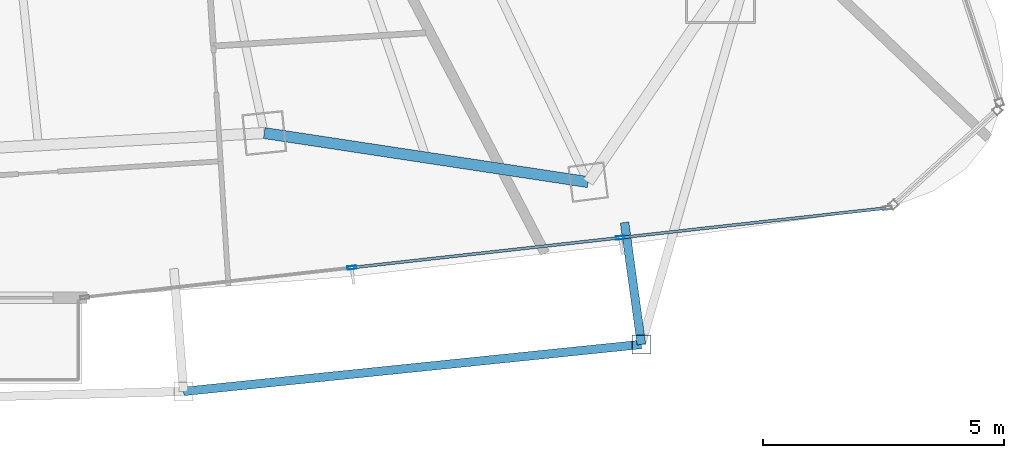
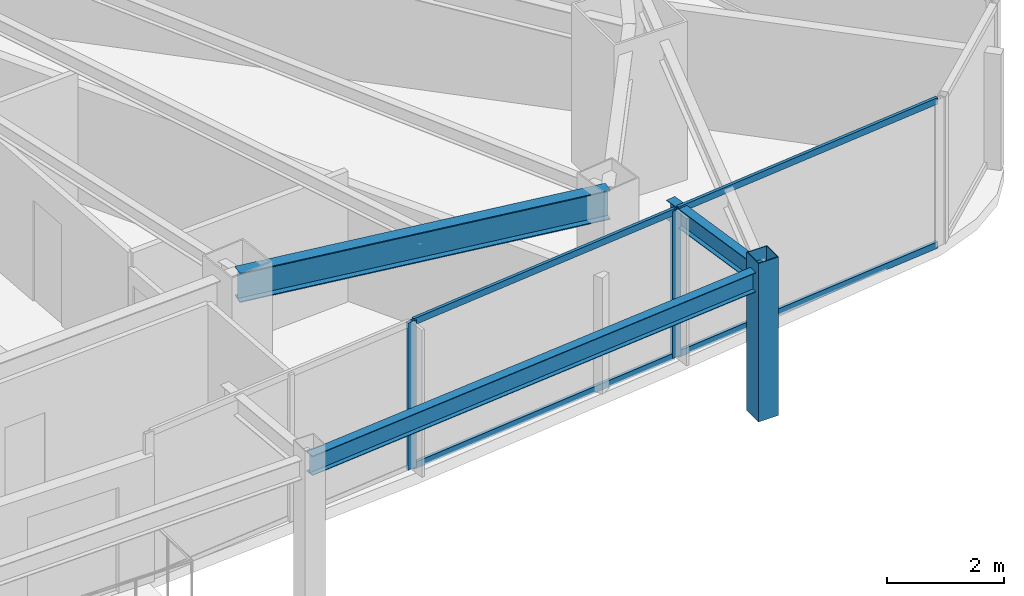
# One storey, part 12 of 29: 7 members, 3 beams, 1 element without a shape of its own.
"""IFC4 building model written with IfcOpenShell, lengths in metres."""

import ifcopenshell
import ifcopenshell.guid

model = None  # the IFC model being written
_history = None  # IfcOwnerHistory: only IFC2X3 demands one
_inside = {}  # id of a spatial element -> (the spatial element, [elements in it])
_under = {}  # id of a project, library or spatial element -> (it, [spatial elements below it])
_declared = {}  # id of a project -> (the project, [libraries it declares])
_typed = {}  # id of a type object -> (the type object, [elements of that type])
_made_of = {}  # id of a material, layer set ... -> (it, [elements and type objects made of it])


def new_model(schema):
    """Start an empty IFC model of exactly this schema.

    Asked for "IFC4X3", IfcOpenShell would pick the latest addendum, in which some entities
    have other attributes; the version numbers below select the first issue.
    IFC2X3 requires an IfcOwnerHistory on every rooted entity: one is made here for all.
    """
    global model, _history
    if schema == "IFC4X3":
        model = ifcopenshell.file(schema_version=(4, 3, 0, 0))
    else:
        model = ifcopenshell.file(schema=schema)
    _inside.clear()
    _under.clear()
    _declared.clear()
    _typed.clear()
    _made_of.clear()
    _history = None
    if model.schema == "IFC2X3":
        org = make("IfcOrganization", Name="unknown")
        user = make(
            "IfcPersonAndOrganization",
            ThePerson=make("IfcPerson", FamilyName="unknown"),
            TheOrganization=org,
        )
        app = make(
            "IfcApplication",
            ApplicationDeveloper=org,
            Version="unknown",
            ApplicationFullName="unknown",
            ApplicationIdentifier="unknown",
        )
        _history = make(
            "IfcOwnerHistory",
            OwningUser=user,
            OwningApplication=app,
            ChangeAction="ADDED",
            CreationDate=0,
        )
    return model


def make(cls, **values):
    """One entity of the class cls with the attributes given. An attribute that is None is left unset."""
    return model.create_entity(
        cls, **{name: value for name, value in values.items() if value is not None}
    )


def rooted(cls, **values):
    """An entity with a GlobalId (a new one), such as an element, a storey or a relation."""
    return make(cls, GlobalId=ifcopenshell.guid.new(), OwnerHistory=_history, **values)


def si_unit(unit_type, name, prefix=None):
    """IfcSIUnit, for example si_unit("LENGTHUNIT", "METRE", prefix="MILLI")."""
    return make("IfcSIUnit", UnitType=unit_type, Prefix=prefix, Name=name)


def assignment(units):
    """IfcUnitAssignment: the units of a project."""
    return None if units is None else make("IfcUnitAssignment", Units=units)


def point(xyz):
    """IfcCartesianPoint."""
    return None if xyz is None else make("IfcCartesianPoint", Coordinates=xyz)


def direction(xyz):
    """IfcDirection."""
    return None if xyz is None else make("IfcDirection", DirectionRatios=xyz)


def frame(location, z_axis=None, x_axis=None):
    """IfcAxis2Placement3D, a coordinate frame: its origin and axes. An axis left out is left unset."""
    return make(
        "IfcAxis2Placement3D",
        Location=point(location),
        Axis=direction(z_axis),
        RefDirection=direction(x_axis),
    )


def frame_2d(location, x_axis=None):
    """IfcAxis2Placement2D, a coordinate frame in the plane: its origin and x axis."""
    return make(
        "IfcAxis2Placement2D", Location=point(location), RefDirection=direction(x_axis)
    )


def origin():
    """The frame at (0, 0, 0) with its axes left unset."""
    return frame((0.0, 0.0, 0.0))


def origin_2d():
    """The frame at (0, 0) in the plane with its x axis left unset."""
    return frame_2d((0.0, 0.0))


def place(relative_to, where):
    """IfcLocalPlacement: puts the frame where relative to a parent placement (None: the world)."""
    return make(
        "IfcLocalPlacement", PlacementRelTo=relative_to, RelativePlacement=where
    )


def context(
    kind, dimensions, precision=None, world=None, true_north=None, identifier=None
):
    """IfcGeometricRepresentationContext, for example the 3D "Model" context."""
    return make(
        "IfcGeometricRepresentationContext",
        ContextIdentifier=identifier,
        ContextType=kind,
        CoordinateSpaceDimension=dimensions,
        Precision=precision,
        WorldCoordinateSystem=world,
        TrueNorth=true_north,
    )


def subcontext(parent, identifier, kind, view, scale=None):
    """IfcGeometricRepresentationSubContext, for example "Body" below "Model"."""
    return make(
        "IfcGeometricRepresentationSubContext",
        ContextIdentifier=identifier,
        ContextType=kind,
        ParentContext=parent,
        TargetScale=scale,
        TargetView=view,
    )


def project(units=None, contexts=None):
    """IfcProject with its units and contexts."""
    return rooted(
        "IfcProject",
        Name="project",
        RepresentationContexts=contexts,
        UnitsInContext=assignment(units),
    )


def spatial(cls, under=None, at=None, **own):
    """A site, building, storey or space (cls), placed at a placement, below another one or the project."""
    s = rooted(cls, ObjectPlacement=at, **own)
    if under is not None:
        _under.setdefault(under.id(), (under, []))[1].append(s)
    return s


def profile(cls, at=None, kind="AREA", **sizes):
    """A parametric profile (cls). Its sizes go by their IFC names, for example OverallWidth=200.0."""
    return make(cls, ProfileType=kind, Position=at, **sizes)


def hollow_rectangle(**sizes):
    """IfcRectangleHollowProfileDef."""
    return profile("IfcRectangleHollowProfileDef", **sizes)


def i_section(**sizes):
    """IfcIShapeProfileDef."""
    return profile("IfcIShapeProfileDef", **sizes)


def extrude(swept, where, along, depth):
    """IfcExtrudedAreaSolid: the profile swept, set in the frame where, extruded along a direction by depth."""
    return make(
        "IfcExtrudedAreaSolid",
        SweptArea=swept,
        Position=where,
        ExtrudedDirection=direction(along),
        Depth=depth,
    )


def shape(context_of_items, identifier, shape_type, items):
    """IfcShapeRepresentation: the items that make up one representation, for example the "Body"."""
    return make(
        "IfcShapeRepresentation",
        ContextOfItems=context_of_items,
        RepresentationIdentifier=identifier,
        RepresentationType=shape_type,
        Items=items,
    )


def material(Name=None, Category=None):
    """IfcMaterial."""
    return make("IfcMaterial", Name=Name, Category=Category)


def layer(
    of_material, thickness, ventilated=None, Name=None, Category=None, Priority=None
):
    """IfcMaterialLayer: one layer of a wall or slab, of a material (None: an air gap)."""
    return make(
        "IfcMaterialLayer",
        Material=of_material,
        LayerThickness=thickness,
        IsVentilated=ventilated,
        Name=Name,
        Category=Category,
        Priority=Priority,
    )


def layer_set(layers, Name=None):
    """IfcMaterialLayerSet."""
    return make("IfcMaterialLayerSet", MaterialLayers=layers, LayerSetName=Name)


def material_profile(
    of_material, cross_section, Name=None, Category=None, Priority=None
):
    """IfcMaterialProfile: a cross section and its material."""
    return make(
        "IfcMaterialProfile",
        Name=Name,
        Material=of_material,
        Profile=cross_section,
        Priority=Priority,
        Category=Category,
    )


def profile_set(profiles, Name=None, composite=None):
    """IfcMaterialProfileSet."""
    return make(
        "IfcMaterialProfileSet",
        Name=Name,
        MaterialProfiles=profiles,
        CompositeProfile=composite,
    )


def made_of(thing, what):
    """Note that an element or type object is made of a material, layer set ...; save() writes the relation."""
    if what is not None:
        _made_of.setdefault(what.id(), (what, []))[1].append(thing)
    return thing


def type_object(cls, material=None, **own):
    """A type object (cls), such as IfcWallType, which elements share."""
    return made_of(rooted(cls, **own), material)


def element(
    cls,
    number,
    at=None,
    inside=None,
    cuts=None,
    type_object=None,
    material=None,
    context=None,
    identifier="Body",
    shape_type=None,
    held_by="IfcProductDefinitionShape",
    body=None,
    shapes=None,
    **own,
):
    """One element of the class cls, such as IfcWall. Its Tag is "e" and its number.

    at: its placement. inside: the storey or other place that contains it. cuts: it is an
    opening in that element (IfcRelVoidsElement). A single representation is given by context,
    identifier, shape_type and body (its items); several are given by shapes. held_by: the class
    of the entity that holds the representations. save() writes the other relations.
    """
    e = rooted(cls, Tag="e%d" % number, ObjectPlacement=at, **own)
    if body is not None:
        shapes = [shape(context, identifier, shape_type, body)]
    if shapes is not None:
        e.Representation = make(held_by, Representations=shapes)
    if inside is not None:
        _inside.setdefault(inside.id(), (inside, []))[1].append(e)
    if cuts is not None:
        rooted(
            "IfcRelVoidsElement", RelatingBuildingElement=cuts, RelatedOpeningElement=e
        )
    if type_object is not None:
        _typed.setdefault(type_object.id(), (type_object, []))[1].append(e)
    return made_of(e, material)


def aggregate(whole, parts):
    """IfcRelAggregates: a whole, such as a stair, and the parts it consists of."""
    return rooted("IfcRelAggregates", RelatingObject=whole, RelatedObjects=parts)


def save(model, path):
    """Write the relations noted so far, then the file.

    IfcRelAggregates (storeys below a building ...), IfcRelContainedInSpatialStructure (elements
    in a storey), IfcRelDefinesByType, IfcRelAssociatesMaterial and IfcRelDeclares: one each for
    every whole, place, type object, material and project.
    """
    for whole, parts in _under.values():
        aggregate(whole, parts)
    for where, things in _inside.values():
        rooted(
            "IfcRelContainedInSpatialStructure",
            RelatedElements=things,
            RelatingStructure=where,
        )
    for kind, things in _typed.values():
        rooted("IfcRelDefinesByType", RelatedObjects=things, RelatingType=kind)
    for what, things in _made_of.values():
        rooted("IfcRelAssociatesMaterial", RelatedObjects=things, RelatingMaterial=what)
    for by, libraries in _declared.values():
        rooted("IfcRelDeclares", RelatingContext=by, RelatedDefinitions=libraries)
    model.write(path)


model = new_model("IFC4")

# Units and contexts
model_context = context("Model", 3, precision=1e-05, world=origin(), true_north=direction((0.0, 1.0)))
body_context = subcontext(model_context, "Body", "Model", "MODEL_VIEW")
ifc_project = project(units=[si_unit("LENGTHUNIT", "METRE"), si_unit("AREAUNIT", "SQUARE_METRE"), si_unit("VOLUMEUNIT", "CUBIC_METRE"), si_unit("PLANEANGLEUNIT", "RADIAN"), si_unit("MASSUNIT", "GRAM", prefix="KILO")], contexts=[model_context])

# Site, building, storey
site_placement = place(None, origin())
site = spatial("IfcSite", under=ifc_project, at=site_placement, CompositionType="ELEMENT")
building_placement = place(site_placement, origin())
building = spatial("IfcBuilding", under=site, at=building_placement, Name="Orvanel Arch Residences", CompositionType="ELEMENT")
storey_placement = place(building_placement, frame((0.0, 0.0, 170.449951171875)))
storey = spatial("IfcBuildingStorey", under=building, at=storey_placement, Name="L48", CompositionType="ELEMENT", Elevation=170.449951171875)

# Curtain wall, members
ifc_material_1 = material(Name="Bronze-anodised aluminium AA6063-T6", Category="aluminium")
ifc_layer = layer(ifc_material_1, 0.179931640625)
ifc_layer_set = layer_set([ifc_layer], Name="Bronze-anodised aluminium AA6063-T6")
curtain_wall_type = type_object("IfcCurtainWallType", Name="CW3-MID-SYS", PredefinedType="NOTDEFINED", material=ifc_layer_set)
curtain_wall_placement = place(storey_placement, origin())
curtain_wall = element("IfcCurtainWall", 1, at=curtain_wall_placement, inside=storey, type_object=curtain_wall_type, Name="L48 CW3-MID-SYS Unitised Curtain Wall", PredefinedType="NOTDEFINED")
ifc_material_profile_1 = material_profile(ifc_material_1, hollow_rectangle(XDim=0.070068359375, YDim=0.179931640625, WallThickness=0.00439453125, at=origin_2d()), Name="ALU180x70x4.5")
ifc_profile_set_1 = profile_set([ifc_material_profile_1], Name="Bronze-anodised aluminium AA6063-T6")
member_type_1 = type_object("IfcMemberType", Name="MUL-180x70", PredefinedType="MULLION", material=ifc_profile_set_1)
member_1_placement = place(storey_placement, frame((44.163330078125, 4.567626953125, 0.0), z_axis=(0.0, 0.0, 1.0), x_axis=(-0.110836581045, 0.993838645003, 0.0)))
member_1 = element("IfcMember", 2, at=member_1_placement, type_object=member_type_1, Name="CW-S3 mullion 2", PredefinedType="MULLION", context=body_context, shape_type="SweptSolid", body=[
    extrude(hollow_rectangle(XDim=0.070068359375, YDim=0.179931640625, WallThickness=0.00439453125, at=origin_2d()), origin(), (0.0, 0.0, 1.0), 3.06005859375),
])
member_2_placement = place(storey_placement, frame((49.728759765625, 5.188232421875, 0.0), z_axis=(0.0, 0.0, 1.0), x_axis=(-0.110836581045, 0.993838645003, 0.0)))
member_2 = element("IfcMember", 3, at=member_2_placement, type_object=member_type_1, Name="CW-S3 mullion 3", PredefinedType="MULLION", context=body_context, shape_type="SweptSolid", body=[
    extrude(hollow_rectangle(XDim=0.070068359375, YDim=0.179931640625, WallThickness=0.00439453125, at=origin_2d()), origin(), (0.0, 0.0, 1.0), 3.06005859375),
])

# Beams
ifc_material_2 = material(Name="Structural steel AS/NZS 3679.1 Grade 300 (300 MPa)", Category="steel")
ifc_material_profile_2 = material_profile(ifc_material_2, i_section(OverallWidth=0.177978515625, OverallDepth=0.406005859375, WebThickness=0.0078125, FlangeThickness=0.0126953125, at=origin_2d()), Name="410UB59.7")
ifc_profile_set_2 = profile_set([ifc_material_profile_2], Name="Structural steel AS/NZS 3679.1 Grade 300 (300 MPa)")
beam_type_1 = type_object("IfcBeamType", Name="OB-410UB-EXT", PredefinedType="SPANDREL", material=ifc_profile_set_2)
beam_1_placement = place(storey_placement, frame((40.677978515625, 2.0029296875, 2.85693359375), z_axis=(0.994767702697, 0.102162701958, 0.0), x_axis=(-0.102162701958, 0.994767702697, 0.0)))
element("IfcBeam", 4, at=beam_1_placement, inside=storey, type_object=beam_type_1, Name="L48 Outer Perimeter Floor Ring Beam 07", PredefinedType="SPANDREL", context=body_context, shape_type="SweptSolid", body=[
    extrude(i_section(OverallWidth=0.177978515625, OverallDepth=0.406005859375, WebThickness=0.0078125, FlangeThickness=0.0126953125, at=origin_2d()), origin(), (0.0, 0.0, 1.0), 9.534912109375),
])
beam_2_placement = place(storey_placement, frame((49.81396484375, 5.5029296875, 2.85693359375), z_axis=(0.136916025581, -0.990582657803, 0.0), x_axis=(0.990582657803, 0.136916025581, 0.0)))
element("IfcBeam", 5, at=beam_2_placement, inside=storey, type_object=beam_type_1, Name="L48 Outer Frame Radial Tie Beam 08", PredefinedType="SPANDREL", context=body_context, shape_type="SweptSolid", body=[
    extrude(i_section(OverallWidth=0.177978515625, OverallDepth=0.406005859375, WebThickness=0.0078125, FlangeThickness=0.0126953125, at=origin_2d()), origin(), (0.0, 0.0, 1.0), 2.5498046875),
])
ifc_material_profile_3 = material_profile(ifc_material_2, i_section(OverallWidth=0.22900390625, OverallDepth=0.612060546875, WebThickness=0.011962890625, FlangeThickness=0.01953125, at=origin_2d()), Name="610UB125")
ifc_profile_set_3 = profile_set([ifc_material_profile_3], Name="Structural steel AS/NZS 3679.1 Grade 300 (300 MPa)")
beam_type_2 = type_object("IfcBeamType", Name="SP-610UB", PredefinedType="SPANDREL", material=ifc_profile_set_3)
beam_3_placement = place(storey_placement, frame((42.35107421875, 7.35498046875, 2.754150390625), z_axis=(0.988726323014, -0.149733958002, 0.0), x_axis=(0.149733958002, 0.988726323014, 0.0)))
element("IfcBeam", 6, at=beam_3_placement, inside=storey, type_object=beam_type_2, Name="L48 Perimeter Spandrel Beam 07", PredefinedType="SPANDREL", context=body_context, shape_type="SweptSolid", body=[
    extrude(i_section(OverallWidth=0.22900390625, OverallDepth=0.612060546875, WebThickness=0.011962890625, FlangeThickness=0.01953125, at=origin_2d()), origin(), (0.0, 0.0, 1.0), 6.784423828125),
])

# Member
ifc_material_3 = material(Name="Structural steel AS/NZS 1163 C450L0 (Grade 450)", Category="steel")
ifc_material_profile_4 = material_profile(ifc_material_3, hollow_rectangle(XDim=0.39990234375, YDim=0.39990234375, WallThickness=0.01611328125, at=origin_2d()), Name="SHS400x400x16")
ifc_profile_set_4 = profile_set([ifc_material_profile_4], Name="Structural steel AS/NZS 1163 C450L0 (Grade 450)")
member_type_2 = type_object("IfcMemberType", Name="ST-400SHS-EXT", PredefinedType="STRUT", material=ifc_profile_set_4)
member_3_placement = place(storey_placement, frame((50.1630859375, 2.97705078125, 0.0), z_axis=(0.0, 0.0, 1.0), x_axis=(1.0, 0.0, 0.0)))
element("IfcMember", 7, at=member_3_placement, inside=storey, type_object=member_type_2, Name="L48 Outer Perimeter Frame Post 08", PredefinedType="STRUT", context=body_context, shape_type="SweptSolid", body=[
    extrude(hollow_rectangle(XDim=0.39990234375, YDim=0.39990234375, WallThickness=0.01611328125, at=origin_2d()), origin(), (0.0, 0.0, 1.0), 3.300048828125),
])

ifc_material_profile_5 = material_profile(ifc_material_1, hollow_rectangle(XDim=0.06005859375, YDim=0.135009765625, WallThickness=0.00390625, at=origin_2d()), Name="ALU135x60x4")
ifc_profile_set_5 = profile_set([ifc_material_profile_5], Name="Bronze-anodised aluminium AA6063-T6")
member_type_3 = type_object("IfcMemberType", Name="TRN-135x60", PredefinedType="USERDEFINED", material=ifc_profile_set_5)
member_4_placement = place(storey_placement, frame((44.197998046875, 4.571533203125, 0.030029296875), z_axis=(0.993836263874, 0.110857929838, 0.0), x_axis=(-0.110857929838, 0.993836263874, 0.0)))
member_4 = element("IfcMember", 8, at=member_4_placement, type_object=member_type_3, Name="CW-S3 transom 2.1", ObjectType="TRANSOM", PredefinedType="USERDEFINED", context=body_context, shape_type="SweptSolid", body=[
    extrude(hollow_rectangle(XDim=0.06005859375, YDim=0.135009765625, WallThickness=0.00390625, at=origin_2d()), origin(), (0.0, 0.0, 1.0), 5.530029296875),
])

member_5_placement = place(storey_placement, frame((44.197998046875, 4.571533203125, 3.030029296875), z_axis=(0.993836263874, 0.110857929838, 0.0), x_axis=(-0.110857929838, 0.993836263874, 0.0)))
member_5 = element("IfcMember", 9, at=member_5_placement, type_object=member_type_3, Name="CW-S3 transom 2.2", ObjectType="TRANSOM", PredefinedType="USERDEFINED", context=body_context, shape_type="SweptSolid", body=[
    extrude(hollow_rectangle(XDim=0.06005859375, YDim=0.135009765625, WallThickness=0.00390625, at=origin_2d()), origin(), (0.0, 0.0, 1.0), 5.530029296875),
])

member_6_placement = place(storey_placement, frame((49.763427734375, 5.192138671875, 0.030029296875), z_axis=(0.993836503728, 0.110855779542, 0.0), x_axis=(-0.110855779542, 0.993836503728, 0.0)))
member_6 = element("IfcMember", 10, at=member_6_placement, type_object=member_type_3, Name="CW-S3 transom 3.1", ObjectType="TRANSOM", PredefinedType="USERDEFINED", context=body_context, shape_type="SweptSolid", body=[
    extrude(hollow_rectangle(XDim=0.06005859375, YDim=0.135009765625, WallThickness=0.00390625, at=origin_2d()), origin(), (0.0, 0.0, 1.0), 5.494873046875),
])

member_7_placement = place(storey_placement, frame((49.763427734375, 5.192138671875, 3.030029296875), z_axis=(0.993836503728, 0.110855779542, 0.0), x_axis=(-0.110855779542, 0.993836503728, 0.0)))
member_7 = element("IfcMember", 11, at=member_7_placement, type_object=member_type_3, Name="CW-S3 transom 3.2", ObjectType="TRANSOM", PredefinedType="USERDEFINED", context=body_context, shape_type="SweptSolid", body=[
    extrude(hollow_rectangle(XDim=0.06005859375, YDim=0.135009765625, WallThickness=0.00390625, at=origin_2d()), origin(), (0.0, 0.0, 1.0), 5.494873046875),
])

aggregate(curtain_wall, [member_1, member_2, member_4, member_5, member_6, member_7])

save(model, "model.ifc")
